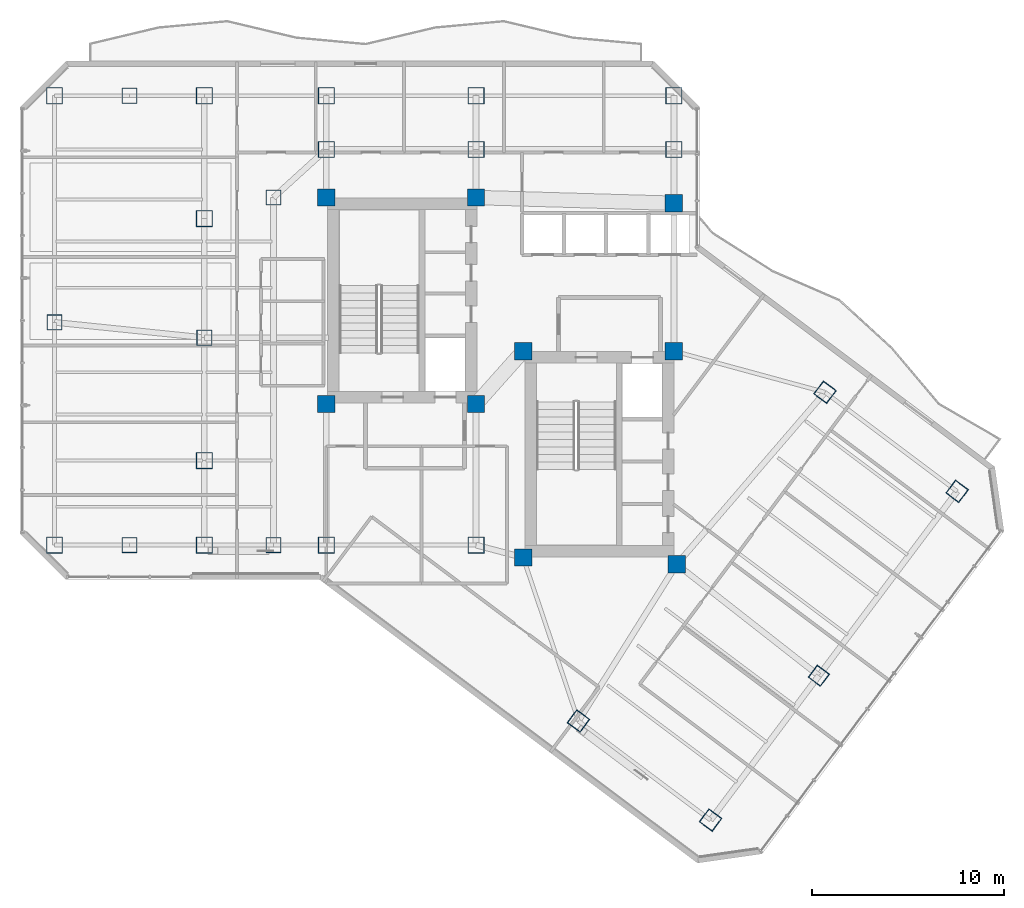
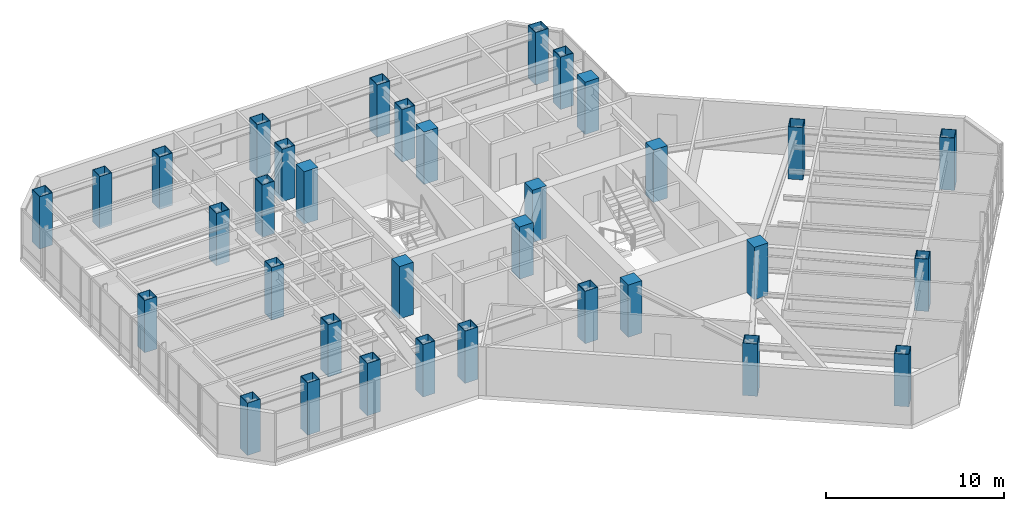
# One storey, part 1 of 29: 34 columns.
"""IFC4 building model written with IfcOpenShell, lengths in metres."""

from ifc_helpers import new_model, si_unit, direction, frame, origin, origin_2d, place, context, subcontext, project, spatial, rectangle, hollow_rectangle, extrude, material, material_profile, profile_set, type_object, element, save


model = new_model("IFC4")

# Units and contexts
model_context = context("Model", 3, precision=1e-05, world=origin(), true_north=direction((0.0, 1.0)))
body_context = subcontext(model_context, "Body", "Model", "MODEL_VIEW")
ifc_project = project(units=[si_unit("LENGTHUNIT", "METRE"), si_unit("AREAUNIT", "SQUARE_METRE"), si_unit("VOLUMEUNIT", "CUBIC_METRE"), si_unit("PLANEANGLEUNIT", "RADIAN"), si_unit("MASSUNIT", "GRAM", prefix="KILO")], contexts=[model_context])

# Site, building, storey
site_placement = place(None, origin())
site = spatial("IfcSite", under=ifc_project, at=site_placement, CompositionType="ELEMENT")
building_placement = place(site_placement, origin())
building = spatial("IfcBuilding", under=site, at=building_placement, Name="Hatsunagi Terrace Concourse", CompositionType="ELEMENT")
storey_placement = place(building_placement, frame((0.0, 0.0, 149.25)))
storey = spatial("IfcBuildingStorey", under=building, at=storey_placement, Name="L39", CompositionType="ELEMENT", Elevation=149.25)

# Columns
ifc_material_1 = material(Name="Concrete Fc48", Category="concrete")
ifc_material_profile_1 = material_profile(ifc_material_1, rectangle(XDim=0.89990234375, YDim=0.89990234375, at=origin_2d()), Name="RC-900x900")
ifc_profile_set_1 = profile_set([ifc_material_profile_1], Name="Concrete Fc48")
column_type_1 = type_object("IfcColumnType", Name="CoreColumn_RC_900x900", PredefinedType="COLUMN", material=ifc_profile_set_1)
for number, where, z_axis, x_axis, name in (
    (1, (25.550048828125, 32.550048828125, 0.0), (0.0, 0.0, 1.0), (1.0, 0.0, 0.0), "Column C-02 L39-CASW"),
    (2, (33.35009765625, 32.550048828125, 0.0), (0.0, 0.0, 1.0), (1.0, 0.0, 0.0), "Column C-02 L39-CASE"),
    (3, (25.550048828125, 43.300048828125, 0.0), (0.0, 0.0, 1.0), (1.0, 0.0, 0.0), "Column C-02 L39-CANW"),
    (4, (33.35009765625, 43.300048828125, 0.0), (0.0, 0.0, 1.0), (1.0, 0.0, 0.0), "Column C-02 L39-CANE"),
    (5, (35.800048828125, 24.550048828125, 0.0), (0.0, 0.0, 1.0), (1.0, 0.0, 0.0), "Column C-02 L39-CBSW"),
    (6, (43.800048828125, 24.199951171875, 0.0), (0.0, 0.0, 1.0), (1.0, 0.0, 0.0), "Column C-02 L39-CBSE"),
    (7, (35.800048828125, 35.300048828125, 0.0), (0.0, 0.0, 1.0), (1.0, 0.0, 0.0), "Column C-02 L39-CBNW"),
    (8, (43.64990234375, 35.300048828125, 0.0), (0.0, 0.0, 1.0), (1.0, 0.0, 0.0), "Column C-02 L39-CBNE"),
    (9, (43.64990234375, 43.0, 0.0), (0.0, 0.0, 1.0), (1.0, 0.0, 0.0), "Column C-02 L39-K3"),
):
    element("IfcColumn", number, at=place(storey_placement, frame(where, z_axis=z_axis, x_axis=x_axis)), inside=storey, type_object=column_type_1, Name=name, PredefinedType="COLUMN", context=body_context, shape_type="SweptSolid", body=[
        extrude(rectangle(XDim=0.89990234375, YDim=0.89990234375, at=origin_2d()), origin(), (0.0, 0.0, 1.0), 3.60009765625),
    ])
ifc_material_2 = material(Name="Steel BCP325T", Category="steel")
ifc_material_profile_2 = material_profile(ifc_material_2, hollow_rectangle(XDim=0.800048828125, YDim=0.800048828125, WallThickness=0.031982421875, at=origin_2d()), Name="BCP-800x800x32")
ifc_profile_set_2 = profile_set([ifc_material_profile_2], Name="Steel BCP325T")
column_type_2 = type_object("IfcColumnType", Name="TowerBoxColumn_800x800x32", PredefinedType="COLUMN", material=ifc_profile_set_2)
for number, where, z_axis, x_axis, name in (
    (10, (22.800048828125, 25.199951171875, 0.0), (0.0, 0.0, 1.0), (1.0, 0.0, 0.0), "Column C-06 L39-CW1"),
    (11, (22.800048828125, 43.300048828125, 0.0), (0.0, 0.0, 1.0), (1.0, 0.0, 0.0), "Column C-06 L39-CW2"),
    (12, (11.39990234375, 36.800048828125, 0.0), (0.0, 0.0, 1.0), (1.0, 0.0, 0.0), "Column C-06 L39-WT1"),
    (13, (19.199951171875, 36.0, 0.0), (0.0, 0.0, 1.0), (1.0, 0.0, 0.0), "Column C-06 L39-WT2"),
    (14, (15.300048828125, 25.199951171875, 0.0), (0.0, 0.0, 1.0), (1.0, 0.0, 0.0), "Column C-06 L39-WT3"),
    (15, (15.300048828125, 48.60009765625, 0.0), (0.0, 0.0, 1.0), (1.0, 0.0, 0.0), "Column C-06 L39-WT4"),
    (16, (51.199951171875, 18.39990234375, 0.0), (0.0, 0.0, 1.0), (0.799999996291, -0.600000004945, 0.0), "Column C-06 L39-SEM2"),
):
    element("IfcColumn", number, at=place(storey_placement, frame(where, z_axis=z_axis, x_axis=x_axis)), inside=storey, type_object=column_type_2, Name=name, PredefinedType="COLUMN", context=body_context, shape_type="SweptSolid", body=[
        extrude(hollow_rectangle(XDim=0.800048828125, YDim=0.800048828125, WallThickness=0.031982421875, at=origin_2d()), origin(), (0.0, 0.0, 1.0), 3.60009765625),
    ])
ifc_material_3 = material(Name="Steel BCP325T", Category="steel")
ifc_material_profile_3 = material_profile(ifc_material_3, hollow_rectangle(XDim=0.85009765625, YDim=0.85009765625, WallThickness=0.031982421875, at=origin_2d()), Name="BCP-850x850x32")
ifc_profile_set_3 = profile_set([ifc_material_profile_3], Name="Steel BCP325T")
column_type_3 = type_object("IfcColumnType", Name="TowerBoxColumn_850x850x32", PredefinedType="COLUMN", material=ifc_profile_set_3)
for number, where, z_axis, x_axis, name in (
    (17, (25.550048828125, 25.199951171875, 0.0), (0.0, 0.0, 1.0), (1.0, 0.0, 0.0), "Column C-05 L39-K1"),
    (18, (33.35009765625, 25.199951171875, 0.0), (0.0, 0.0, 1.0), (1.0, 0.0, 0.0), "Column C-05 L39-K2"),
    (19, (25.550048828125, 45.800048828125, 0.0), (0.0, 0.0, 1.0), (1.0, 0.0, 0.0), "Column C-05 L39-CN1"),
    (20, (33.35009765625, 45.800048828125, 0.0), (0.0, 0.0, 1.0), (1.0, 0.0, 0.0), "Column C-05 L39-CN2"),
    (21, (43.64990234375, 45.800048828125, 0.0), (0.0, 0.0, 1.0), (1.0, 0.0, 0.0), "Column C-05 L39-CN3"),
    (22, (11.39990234375, 25.199951171875, 0.0), (0.0, 0.0, 1.0), (1.0, 0.0, 0.0), "Column C-05 L39-WS2"),
    (23, (11.39990234375, 48.60009765625, 0.0), (0.0, 0.0, 1.0), (1.0, 0.0, 0.0), "Column C-05 L39-WN2"),
    (24, (19.199951171875, 48.60009765625, 0.0), (0.0, 0.0, 1.0), (1.0, 0.0, 0.0), "Column C-05 L39-WN3"),
    (25, (25.550048828125, 48.60009765625, 0.0), (0.0, 0.0, 1.0), (1.0, 0.0, 0.0), "Column C-05 L39-WN4"),
    (26, (33.35009765625, 48.60009765625, 0.0), (0.0, 0.0, 1.0), (1.0, 0.0, 0.0), "Column C-05 L39-WN5"),
    (27, (43.64990234375, 48.60009765625, 0.0), (0.0, 0.0, 1.0), (1.0, 0.0, 0.0), "Column C-05 L39-WN6"),
    (28, (19.199951171875, 25.199951171875, 0.0), (0.0, 0.0, 1.0), (1.0, 0.0, 0.0), "Column C-05 L39-WS3"),
    (29, (19.199951171875, 29.60009765625, 0.0), (0.0, 0.0, 1.0), (1.0, 0.0, 0.0), "Column C-05 L39-WR1"),
    (30, (19.199951171875, 42.199951171875, 0.0), (0.0, 0.0, 1.0), (1.0, 0.0, 0.0), "Column C-05 L39-WR2"),
    (31, (38.679931640625, 16.0400390625, 0.0), (0.0, 0.0, 1.0), (0.799999996291, -0.600000004945, 0.0), "Column C-05 L39-SES1"),
    (32, (51.52001953125, 33.159912109375, 0.0), (0.0, 0.0, 1.0), (0.799999996291, -0.600000004945, 0.0), "Column C-05 L39-SEN1"),
    (33, (45.56005859375, 10.8798828125, 0.0), (0.0, 0.0, 1.0), (0.799999996291, -0.600000004945, 0.0), "Column C-05 L39-SES2"),
    (34, (58.39990234375, 28.0, 0.0), (0.0, 0.0, 1.0), (0.799999996291, -0.600000004945, 0.0), "Column C-05 L39-SEN2"),
):
    element("IfcColumn", number, at=place(storey_placement, frame(where, z_axis=z_axis, x_axis=x_axis)), inside=storey, type_object=column_type_3, Name=name, PredefinedType="COLUMN", context=body_context, shape_type="SweptSolid", body=[
        extrude(hollow_rectangle(XDim=0.85009765625, YDim=0.85009765625, WallThickness=0.031982421875, at=origin_2d()), origin(), (0.0, 0.0, 1.0), 3.60009765625),
    ])

save(model, "model.ifc")
